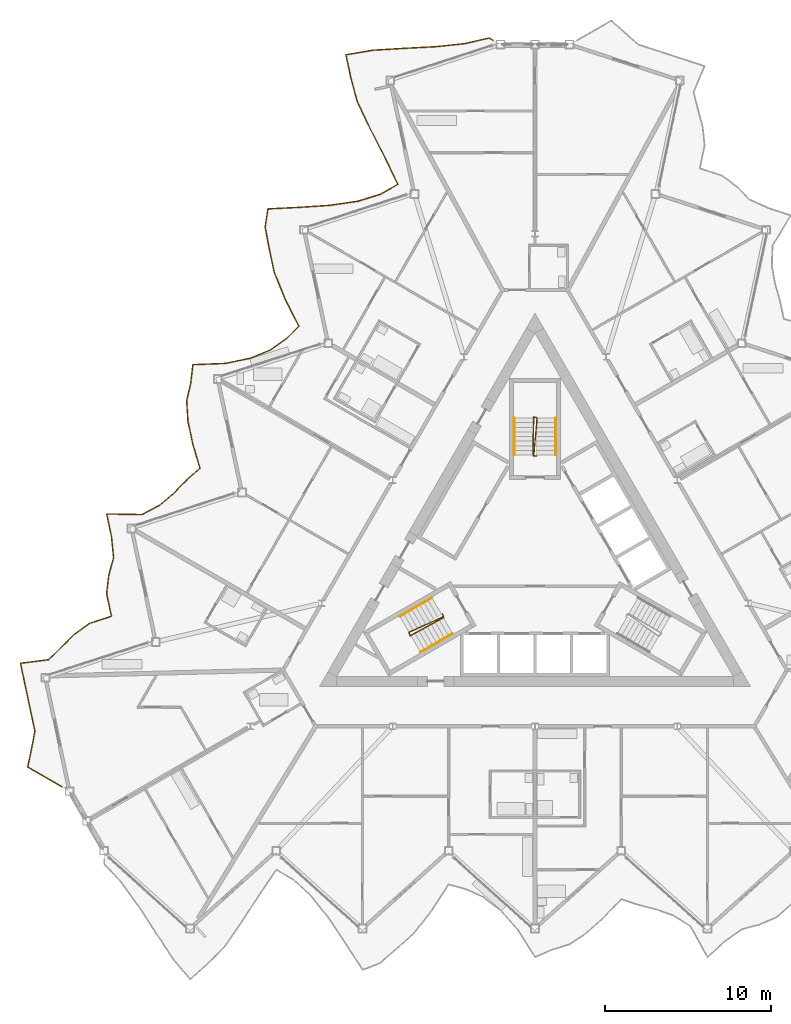
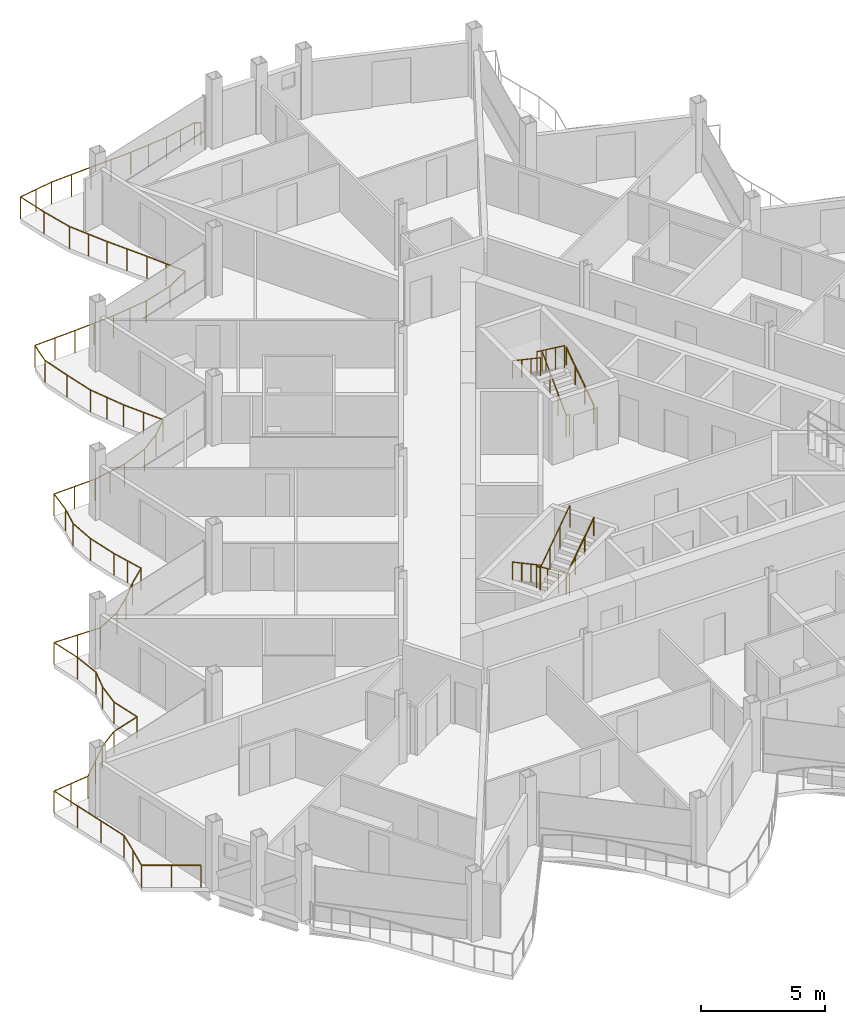
# One storey, part 23 of 26: 7 railings.
"""IFC4 building model written with IfcOpenShell, lengths in metres."""

from ifc_helpers import new_model, si_unit, direction, frame, origin, origin_2d, place, context, subcontext, project, spatial, circle, extrude, material, type_object, element, save


model = new_model("IFC4")

# Units and contexts
model_context = context("Model", 3, precision=1e-05, world=origin(), true_north=direction((0.0, 1.0)))
body_context = subcontext(model_context, "Body", "Model", "MODEL_VIEW")
ifc_project = project(units=[si_unit("LENGTHUNIT", "METRE"), si_unit("AREAUNIT", "SQUARE_METRE"), si_unit("VOLUMEUNIT", "CUBIC_METRE"), si_unit("PLANEANGLEUNIT", "RADIAN"), si_unit("MASSUNIT", "GRAM", prefix="KILO")], contexts=[model_context])

# Site, building, storey
site_placement = place(None, origin())
site = spatial("IfcSite", under=ifc_project, at=site_placement, CompositionType="ELEMENT")
building_placement = place(site_placement, origin())
building = spatial("IfcBuilding", under=site, at=building_placement, Name="Cormorant Prow Tower", CompositionType="ELEMENT")
storey_placement = place(building_placement, frame((0.0, 0.0, 401.800048828125)))
storey = spatial("IfcBuildingStorey", under=building, at=storey_placement, Name="L92", CompositionType="ELEMENT", Elevation=401.800048828125)

# Railings
ifc_material_1 = material(Name="Aluminium 6063-T6", Category="aluminium")
railing_type_1 = type_object("IfcRailingType", Name="Balcony guard 1100", PredefinedType="GUARDRAIL", material=ifc_material_1)
railing_1_placement = place(storey_placement, frame((-2.52685546875, 31.481201171875, 0.0)))
element("IfcRailing", 1, at=railing_1_placement, inside=storey, type_object=railing_type_1, Name="Balcony guard WNW", PredefinedType="GUARDRAIL", context=body_context, shape_type="SweptSolid", body=[
    extrude(circle(Radius=0.02392578125, at=origin_2d()), frame((0.0, 0.0, 1.076171875), z_axis=(-0.866065156741, 0.499931139538, 0.0), x_axis=(-0.499931139538, -0.866065156741, 0.0)), (0.0, 0.0, 1.0), 0.27001953125),
    extrude(circle(Radius=0.02392578125, at=origin_2d()), frame((-0.23388671875, 0.135009765625, 1.076171875), z_axis=(-0.974873370291, -0.222759762745, 0.0), x_axis=(0.222759762745, -0.974873370291, 0.0)), (0.0, 0.0, 1.0), 1.52880859375),
    extrude(circle(Radius=0.02392578125, at=origin_2d()), frame((-1.724365234375, -0.20556640625, 1.076171875), z_axis=(-0.994629350633, -0.103500989653, 0.0), x_axis=(0.103500989653, -0.994629350633, 0.0)), (0.0, 0.0, 1.0), 1.771484375),
    extrude(circle(Radius=0.02392578125, at=origin_2d()), frame((-3.486328125, -0.388916015625, 1.076171875), z_axis=(-0.998632269779, -0.052283742747, 0.0), x_axis=(0.052283742747, -0.998632269779, 0.0)), (0.0, 0.0, 1.0), 1.909912109375),
    extrude(circle(Radius=0.02392578125, at=origin_2d()), frame((-5.3935546875, -0.48876953125, 1.076171875), z_axis=(-0.998162331377, -0.060596701399, 0.0), x_axis=(0.060596701399, -0.998162331377, 0.0)), (0.0, 0.0, 1.0), 1.885498046875),
    extrude(circle(Radius=0.02392578125, at=origin_2d()), frame((-7.275634765625, -0.60302734375, 1.076171875), z_axis=(-0.985696356204, -0.168530986367, 0.0), x_axis=(0.168530986367, -0.985696356204, 0.0)), (0.0, 0.0, 1.0), 1.628173828125),
    extrude(circle(Radius=0.02392578125, at=origin_2d()), frame((-8.880615234375, -0.87744140625, 1.076171875), z_axis=(0.207944297815, -0.978140669335, 0.0), x_axis=(0.978140669335, 0.207944297815, 0.0)), (0.0, 0.0, 1.0), 1.3994140625),
    extrude(circle(Radius=0.02392578125, at=origin_2d()), frame((-8.589599609375, -2.246337890625, 1.076171875), z_axis=(0.256450563767, -0.966557348709, 0.0), x_axis=(0.966557348709, 0.256450563767, 0.0)), (0.0, 0.0, 1.0), 1.467041015625),
    extrude(circle(Radius=0.02392578125, at=origin_2d()), frame((-8.21337890625, -3.664306640625, 1.076171875), z_axis=(0.426711576911, -0.904387765359, 0.0), x_axis=(0.904387765359, 0.426711576911, 0.0)), (0.0, 0.0, 1.0), 1.8251953125),
    extrude(circle(Radius=0.02392578125, at=origin_2d()), frame((-7.4345703125, -5.31494140625, 1.076171875), z_axis=(0.45720436602, -0.889361663044, 0.0), x_axis=(0.889361663044, 0.45720436602, 0.0)), (0.0, 0.0, 1.0), 1.920166015625),
    extrude(circle(Radius=0.02392578125, at=origin_2d()), frame((-6.556640625, -7.022705078125, 1.076171875), z_axis=(0.434918906618, -0.90046962451, 0.0), x_axis=(0.90046962451, 0.434918906618, 0.0)), (0.0, 0.0, 1.0), 1.84912109375),
    extrude(circle(Radius=0.02392578125, at=origin_2d()), frame((-5.75244140625, -8.687744140625, 1.076171875), z_axis=(-0.867204398471, -0.497952338354, 0.0), x_axis=(0.497952338354, -0.867204398471, 0.0)), (0.0, 0.0, 1.0), 1.20263671875),
    extrude(circle(Radius=0.02392578125, at=origin_2d()), frame((-6.79541015625, -9.28662109375, 1.076171875), z_axis=(-0.955030475697, -0.296507656715, 0.0), x_axis=(0.296507656715, -0.955030475697, 0.0)), (0.0, 0.0, 1.0), 1.416259765625),
    extrude(circle(Radius=0.02392578125, at=origin_2d()), frame((-8.14794921875, -9.70654296875, 1.076171875), z_axis=(-0.989243360766, -0.146279093447, 0.0), x_axis=(0.146279093447, -0.989243360766, 0.0)), (0.0, 0.0, 1.0), 1.674072265625),
    extrude(circle(Radius=0.02392578125, at=origin_2d()), frame((-9.803955078125, -9.951416015625, 1.076171875), z_axis=(-0.997767193681, -0.066787927164, 0.0), x_axis=(0.066787927164, -0.997767193681, 0.0)), (0.0, 0.0, 1.0), 1.867919921875),
    extrude(circle(Radius=0.02392578125, at=origin_2d()), frame((-11.667724609375, -10.076171875, 1.076171875), z_axis=(-0.998759316448, -0.049797869514, 0.0), x_axis=(0.049797869514, -0.998759316448, 0.0)), (0.0, 0.0, 1.0), 1.9169921875),
    extrude(circle(Radius=0.02392578125, at=origin_2d()), frame((-13.582275390625, -10.171630859375, 1.076171875), z_axis=(-0.153916021447, -0.988083932843, 0.0), x_axis=(0.988083932843, -0.153916021447, 0.0)), (0.0, 0.0, 1.0), 1.114990234375),
    extrude(circle(Radius=0.02392578125, at=origin_2d()), frame((-13.75390625, -11.2734375, 1.076171875), z_axis=(0.18608198355, -0.982534220981, 0.0), x_axis=(0.982534220981, 0.18608198355, 0.0)), (0.0, 0.0, 1.0), 1.372314453125),
    extrude(circle(Radius=0.02392578125, at=origin_2d()), frame((-13.49853515625, -12.621826171875, 1.076171875), z_axis=(0.20777738218, -0.978176139279, 0.0), x_axis=(0.978176139279, 0.20777738218, 0.0)), (0.0, 0.0, 1.0), 1.3994140625),
    extrude(circle(Radius=0.02392578125, at=origin_2d()), frame((-13.207763671875, -13.99072265625, 1.076171875), z_axis=(0.373958300554, -0.927445518317, 0.0), x_axis=(0.927445518317, 0.373958300554, 0.0)), (0.0, 0.0, 1.0), 1.687744140625),
    extrude(circle(Radius=0.02392578125, at=origin_2d()), frame((-12.57666015625, -15.555908203125, 1.076171875), z_axis=(0.450707823125, -0.892671528712, 0.0), x_axis=(0.892671528712, 0.450707823125, 0.0)), (0.0, 0.0, 1.0), 1.898681640625),
    extrude(circle(Radius=0.02392578125, at=origin_2d()), frame((-11.720947265625, -17.250732421875, 1.076171875), z_axis=(-0.709707035486, -0.704496929576, 0.0), x_axis=(0.704496929576, -0.709707035486, 0.0)), (0.0, 0.0, 1.0), 1.07763671875),
    extrude(circle(Radius=0.02392578125, at=origin_2d()), frame((-12.48583984375, -18.010009765625, 1.076171875), z_axis=(-0.813978799113, -0.580894581309, 0.0), x_axis=(0.580894581309, -0.813978799113, 0.0)), (0.0, 0.0, 1.0), 1.142822265625),
    extrude(circle(Radius=0.02392578125, at=origin_2d()), frame((-13.416015625, -18.673828125, 1.076171875), z_axis=(-0.92453937259, -0.381086536801, 0.0), x_axis=(0.381086536801, -0.92453937259, 0.0)), (0.0, 0.0, 1.0), 1.312744140625),
    extrude(circle(Radius=0.02392578125, at=origin_2d()), frame((-14.629638671875, -19.174072265625, 1.076171875), z_axis=(-0.979287111935, -0.202476547773, 0.0), x_axis=(0.202476547773, -0.979287111935, 0.0)), (0.0, 0.0, 1.0), 1.56396484375),
    extrude(circle(Radius=0.02392578125, at=origin_2d()), frame((-16.1611328125, -19.49072265625, 1.076171875), z_axis=(-0.99926228289, -0.038404296551, 0.0), x_axis=(0.038404296551, -0.99926228289, 0.0)), (0.0, 0.0, 1.0), 1.95166015625),
    extrude(circle(Radius=0.02392578125, at=origin_2d()), frame((-18.111328125, -19.565673828125, 1.076171875), z_axis=(-0.11686626833, -0.993147660384, 0.0), x_axis=(0.993147660384, -0.11686626833, 0.0)), (0.0, 0.0, 1.0), 1.13232421875),
    extrude(circle(Radius=0.02392578125, at=origin_2d()), frame((-18.24365234375, -20.690185546875, 1.076171875), z_axis=(-0.22422016943, -0.97453851418, 0.0), x_axis=(0.97453851418, -0.22422016943, 0.0)), (0.0, 0.0, 1.0), 1.087646484375),
    extrude(circle(Radius=0.02392578125, at=origin_2d()), frame((-18.487548828125, -21.750244140625, 1.076171875), z_axis=(0.063886451825, -0.997957174068, 0.0), x_axis=(0.997957174068, 0.063886451825, 0.0)), (0.0, 0.0, 1.0), 1.24951171875),
    extrude(circle(Radius=0.02392578125, at=origin_2d()), frame((-18.40771484375, -22.997314453125, 1.076171875), z_axis=(0.207944297815, -0.978140669335, 0.0), x_axis=(0.978140669335, 0.207944297815, 0.0)), (0.0, 0.0, 1.0), 1.3994140625),
    extrude(circle(Radius=0.02392578125, at=origin_2d()), frame((-18.11669921875, -24.3662109375, 1.076171875), z_axis=(0.284456795852, -0.958688860524, 0.0), x_axis=(0.958688860524, 0.284456795852, 0.0)), (0.0, 0.0, 1.0), 1.511474609375),
    extrude(circle(Radius=0.02392578125, at=origin_2d()), frame((-17.686767578125, -25.815185546875, 1.076171875), z_axis=(-0.748158452979, -0.663520104621, 0.0), x_axis=(0.663520104621, -0.748158452979, 0.0)), (0.0, 0.0, 1.0), 1.09619140625),
    extrude(circle(Radius=0.02392578125, at=origin_2d()), frame((-18.5068359375, -26.54248046875, 1.076171875), z_axis=(-0.694004890658, -0.71997028532, 0.0), x_axis=(0.71997028532, -0.694004890658, 0.0)), (0.0, 0.0, 1.0), 1.07177734375),
    extrude(circle(Radius=0.02392578125, at=origin_2d()), frame((-19.250732421875, -27.314208984375, 1.076171875), z_axis=(-0.761360498228, -0.648328768247, 0.0), x_axis=(0.648328768247, -0.761360498228, 0.0)), (0.0, 0.0, 1.0), 1.103759765625),
    extrude(circle(Radius=0.02392578125, at=origin_2d()), frame((-20.091064453125, -28.02978515625, 1.076171875), z_axis=(-0.882363970647, -0.470567554452, 0.0), x_axis=(0.470567554452, -0.882363970647, 0.0)), (0.0, 0.0, 1.0), 1.225341796875),
    extrude(circle(Radius=0.02392578125, at=origin_2d()), frame((-21.17236328125, -28.6064453125, 1.076171875), z_axis=(-0.999874162448, 0.015863772238, 0.0), x_axis=(-0.015863772238, -0.999874162448, 0.0)), (0.0, 0.0, 1.0), 2.13916015625),
    extrude(circle(Radius=0.02392578125, at=origin_2d()), frame((-23.311279296875, -28.572509765625, 1.076171875), z_axis=(0.207812845083, -0.978168605823, 0.0), x_axis=(0.978168605823, 0.207812845083, 0.0)), (0.0, 0.0, 1.0), 1.399169921875),
    extrude(circle(Radius=0.02392578125, at=origin_2d()), frame((-23.0205078125, -29.941162109375, 1.076171875), z_axis=(0.097538060509, -0.995231795489, 0.0), x_axis=(0.995231795489, 0.097538060509, 0.0)), (0.0, 0.0, 1.0), 1.279052734375),
    extrude(circle(Radius=0.02392578125, at=origin_2d()), frame((-22.895751953125, -31.214111328125, 1.076171875), z_axis=(-0.266307602116, -0.963888095712, 0.0), x_axis=(0.963888095712, -0.266307602116, 0.0)), (0.0, 0.0, 1.0), 1.074462890625),
    extrude(circle(Radius=0.02392578125, at=origin_2d()), frame((-23.181884765625, -32.249755859375, 1.076171875), z_axis=(-0.119145220618, -0.992876838487, 0.0), x_axis=(0.992876838487, -0.119145220618, 0.0)), (0.0, 0.0, 1.0), 1.131103515625),
    extrude(circle(Radius=0.02392578125, at=origin_2d()), frame((-23.316650390625, -33.372802734375, 1.076171875), z_axis=(0.207944297815, -0.978140669335, 0.0), x_axis=(0.978140669335, 0.207944297815, 0.0)), (0.0, 0.0, 1.0), 1.3994140625),
    extrude(circle(Radius=0.02392578125, at=origin_2d()), frame((-23.025634765625, -34.74169921875, 1.076171875), z_axis=(-0.951028941009, -0.309101849499, 0.0), x_axis=(0.309101849499, -0.951028941009, 0.0)), (0.0, 0.0, 1.0), 1.399658203125),
    extrude(circle(Radius=0.02392578125, at=origin_2d()), frame((-24.356689453125, -35.17431640625, 1.076171875), z_axis=(-0.809393871264, -0.587266175733, 0.0), x_axis=(0.587266175733, -0.809393871264, 0.0)), (0.0, 0.0, 1.0), 1.138671875),
    extrude(circle(Radius=0.02392578125, at=origin_2d()), frame((-25.2783203125, -35.843017578125, 1.076171875), z_axis=(-0.703121250885, -0.711069973036, 0.0), x_axis=(0.711069973036, -0.703121250885, 0.0)), (0.0, 0.0, 1.0), 1.074951171875),
    extrude(circle(Radius=0.02392578125, at=origin_2d()), frame((-26.0341796875, -36.607421875, 1.076171875), z_axis=(-0.719187567553, -0.694815977564, 0.0), x_axis=(0.694815977564, -0.719187567553, 0.0)), (0.0, 0.0, 1.0), 1.081787109375),
    extrude(circle(Radius=0.02392578125, at=origin_2d()), frame((-26.812255859375, -37.359130859375, 1.076171875), z_axis=(-0.99172234521, -0.12840089568, 0.0), x_axis=(0.12840089568, -0.99172234521, 0.0)), (0.0, 0.0, 1.0), 1.713134765625),
    extrude(circle(Radius=0.02392578125, at=origin_2d()), frame((-28.51123046875, -37.5791015625, 1.076171875), z_axis=(0.20777738218, -0.978176139279, 0.0), x_axis=(0.978176139279, 0.20777738218, 0.0)), (0.0, 0.0, 1.0), 1.3994140625),
    extrude(circle(Radius=0.02392578125, at=origin_2d()), frame((-28.220458984375, -38.947998046875, 1.076171875), z_axis=(0.207944297815, -0.978140669335, 0.0), x_axis=(0.978140669335, 0.207944297815, 0.0)), (0.0, 0.0, 1.0), 1.3994140625),
    extrude(circle(Radius=0.02392578125, at=origin_2d()), frame((-27.929443359375, -40.31689453125, 1.076171875), z_axis=(0.207944297815, -0.978140669335, 0.0), x_axis=(0.978140669335, 0.207944297815, 0.0)), (0.0, 0.0, 1.0), 1.3994140625),
    extrude(circle(Radius=0.02392578125, at=origin_2d()), frame((-27.638427734375, -41.685791015625, 1.076171875), z_axis=(-0.191630354817, -0.981467170675, 0.0), x_axis=(0.981467170675, -0.191630354817, 0.0)), (0.0, 0.0, 1.0), 1.099365234375),
    extrude(circle(Radius=0.02392578125, at=origin_2d()), frame((-27.84912109375, -42.764892578125, 1.076171875), z_axis=(-0.205201060308, -0.978719839816, 0.0), x_axis=(0.978719839816, -0.205201060308, 0.0)), (0.0, 0.0, 1.0), 1.094482421875),
    extrude(circle(Radius=0.02392578125, at=origin_2d()), frame((-28.07373046875, -43.836181640625, 1.076171875), z_axis=(0.866025985952, -0.499998991654, 0.0), x_axis=(0.499998991654, 0.866025985952, 0.0)), (0.0, 0.0, 1.0), 2.39453125),
    extrude(circle(Radius=0.02099609375, at=origin_2d()), origin(), (0.0, 0.0, 1.0), 1.052001953125),
    extrude(circle(Radius=0.02099609375, at=origin_2d()), frame((-0.23388671875, 0.135009765625, 0.0)), (0.0, 0.0, 1.0), 1.052001953125),
    extrude(circle(Radius=0.02099609375, at=origin_2d()), frame((-0.97900390625, -0.03515625, 0.0)), (0.0, 0.0, 1.0), 1.052001953125),
    extrude(circle(Radius=0.02099609375, at=origin_2d()), frame((-1.724365234375, -0.20556640625, 0.0)), (0.0, 0.0, 1.0), 1.052001953125),
    extrude(circle(Radius=0.02099609375, at=origin_2d()), frame((-2.60546875, -0.29736328125, 0.0)), (0.0, 0.0, 1.0), 1.052001953125),
    extrude(circle(Radius=0.02099609375, at=origin_2d()), frame((-3.486328125, -0.388916015625, 0.0)), (0.0, 0.0, 1.0), 1.052001953125),
    extrude(circle(Radius=0.02099609375, at=origin_2d()), frame((-4.43994140625, -0.43896484375, 0.0)), (0.0, 0.0, 1.0), 1.052001953125),
    extrude(circle(Radius=0.02099609375, at=origin_2d()), frame((-5.3935546875, -0.48876953125, 0.0)), (0.0, 0.0, 1.0), 1.052001953125),
    extrude(circle(Radius=0.02099609375, at=origin_2d()), frame((-6.33447265625, -0.5458984375, 0.0)), (0.0, 0.0, 1.0), 1.052001953125),
    extrude(circle(Radius=0.02099609375, at=origin_2d()), frame((-7.275634765625, -0.60302734375, 0.0)), (0.0, 0.0, 1.0), 1.052001953125),
    extrude(circle(Radius=0.02099609375, at=origin_2d()), frame((-8.078125, -0.740234375, 0.0)), (0.0, 0.0, 1.0), 1.052001953125),
    extrude(circle(Radius=0.02099609375, at=origin_2d()), frame((-8.880615234375, -0.87744140625, 0.0)), (0.0, 0.0, 1.0), 1.052001953125),
    extrude(circle(Radius=0.02099609375, at=origin_2d()), frame((-8.589599609375, -2.246337890625, 0.0)), (0.0, 0.0, 1.0), 1.052001953125),
    extrude(circle(Radius=0.02099609375, at=origin_2d()), frame((-8.21337890625, -3.664306640625, 0.0)), (0.0, 0.0, 1.0), 1.052001953125),
    extrude(circle(Radius=0.02099609375, at=origin_2d()), frame((-7.823974609375, -4.48974609375, 0.0)), (0.0, 0.0, 1.0), 1.052001953125),
    extrude(circle(Radius=0.02099609375, at=origin_2d()), frame((-7.4345703125, -5.31494140625, 0.0)), (0.0, 0.0, 1.0), 1.052001953125),
    extrude(circle(Radius=0.02099609375, at=origin_2d()), frame((-6.99560546875, -6.1689453125, 0.0)), (0.0, 0.0, 1.0), 1.052001953125),
    extrude(circle(Radius=0.02099609375, at=origin_2d()), frame((-6.556640625, -7.022705078125, 0.0)), (0.0, 0.0, 1.0), 1.052001953125),
    extrude(circle(Radius=0.02099609375, at=origin_2d()), frame((-6.154541015625, -7.855224609375, 0.0)), (0.0, 0.0, 1.0), 1.052001953125),
    extrude(circle(Radius=0.02099609375, at=origin_2d()), frame((-5.75244140625, -8.687744140625, 0.0)), (0.0, 0.0, 1.0), 1.052001953125),
    extrude(circle(Radius=0.02099609375, at=origin_2d()), frame((-6.79541015625, -9.28662109375, 0.0)), (0.0, 0.0, 1.0), 1.052001953125),
    extrude(circle(Radius=0.02099609375, at=origin_2d()), frame((-8.14794921875, -9.70654296875, 0.0)), (0.0, 0.0, 1.0), 1.052001953125),
    extrude(circle(Radius=0.02099609375, at=origin_2d()), frame((-8.97607421875, -9.8291015625, 0.0)), (0.0, 0.0, 1.0), 1.052001953125),
    extrude(circle(Radius=0.02099609375, at=origin_2d()), frame((-9.803955078125, -9.951416015625, 0.0)), (0.0, 0.0, 1.0), 1.052001953125),
    extrude(circle(Radius=0.02099609375, at=origin_2d()), frame((-10.73583984375, -10.013671875, 0.0)), (0.0, 0.0, 1.0), 1.052001953125),
    extrude(circle(Radius=0.02099609375, at=origin_2d()), frame((-11.667724609375, -10.076171875, 0.0)), (0.0, 0.0, 1.0), 1.052001953125),
    extrude(circle(Radius=0.02099609375, at=origin_2d()), frame((-12.625, -10.1240234375, 0.0)), (0.0, 0.0, 1.0), 1.052001953125),
    extrude(circle(Radius=0.02099609375, at=origin_2d()), frame((-13.582275390625, -10.171630859375, 0.0)), (0.0, 0.0, 1.0), 1.052001953125),
    extrude(circle(Radius=0.02099609375, at=origin_2d()), frame((-13.75390625, -11.2734375, 0.0)), (0.0, 0.0, 1.0), 1.052001953125),
    extrude(circle(Radius=0.02099609375, at=origin_2d()), frame((-13.49853515625, -12.621826171875, 0.0)), (0.0, 0.0, 1.0), 1.052001953125),
    extrude(circle(Radius=0.02099609375, at=origin_2d()), frame((-13.207763671875, -13.99072265625, 0.0)), (0.0, 0.0, 1.0), 1.052001953125),
    extrude(circle(Radius=0.02099609375, at=origin_2d()), frame((-12.89208984375, -14.7734375, 0.0)), (0.0, 0.0, 1.0), 1.052001953125),
    extrude(circle(Radius=0.02099609375, at=origin_2d()), frame((-12.57666015625, -15.555908203125, 0.0)), (0.0, 0.0, 1.0), 1.052001953125),
    extrude(circle(Radius=0.02099609375, at=origin_2d()), frame((-12.14892578125, -16.4033203125, 0.0)), (0.0, 0.0, 1.0), 1.052001953125),
    extrude(circle(Radius=0.02099609375, at=origin_2d()), frame((-11.720947265625, -17.250732421875, 0.0)), (0.0, 0.0, 1.0), 1.052001953125),
    extrude(circle(Radius=0.02099609375, at=origin_2d()), frame((-12.48583984375, -18.010009765625, 0.0)), (0.0, 0.0, 1.0), 1.052001953125),
    extrude(circle(Radius=0.02099609375, at=origin_2d()), frame((-13.416015625, -18.673828125, 0.0)), (0.0, 0.0, 1.0), 1.052001953125),
    extrude(circle(Radius=0.02099609375, at=origin_2d()), frame((-14.629638671875, -19.174072265625, 0.0)), (0.0, 0.0, 1.0), 1.052001953125),
    extrude(circle(Radius=0.02099609375, at=origin_2d()), frame((-15.3955078125, -19.33251953125, 0.0)), (0.0, 0.0, 1.0), 1.052001953125),
    extrude(circle(Radius=0.02099609375, at=origin_2d()), frame((-16.1611328125, -19.49072265625, 0.0)), (0.0, 0.0, 1.0), 1.052001953125),
    extrude(circle(Radius=0.02099609375, at=origin_2d()), frame((-17.13623046875, -19.5283203125, 0.0)), (0.0, 0.0, 1.0), 1.052001953125),
    extrude(circle(Radius=0.02099609375, at=origin_2d()), frame((-18.111328125, -19.565673828125, 0.0)), (0.0, 0.0, 1.0), 1.052001953125),
    extrude(circle(Radius=0.02099609375, at=origin_2d()), frame((-18.24365234375, -20.690185546875, 0.0)), (0.0, 0.0, 1.0), 1.052001953125),
    extrude(circle(Radius=0.02099609375, at=origin_2d()), frame((-18.487548828125, -21.750244140625, 0.0)), (0.0, 0.0, 1.0), 1.052001953125),
    extrude(circle(Radius=0.02099609375, at=origin_2d()), frame((-18.40771484375, -22.997314453125, 0.0)), (0.0, 0.0, 1.0), 1.052001953125),
    extrude(circle(Radius=0.02099609375, at=origin_2d()), frame((-18.11669921875, -24.3662109375, 0.0)), (0.0, 0.0, 1.0), 1.052001953125),
    extrude(circle(Radius=0.02099609375, at=origin_2d()), frame((-17.90185546875, -25.0908203125, 0.0)), (0.0, 0.0, 1.0), 1.052001953125),
    extrude(circle(Radius=0.02099609375, at=origin_2d()), frame((-17.686767578125, -25.815185546875, 0.0)), (0.0, 0.0, 1.0), 1.052001953125),
    extrude(circle(Radius=0.02099609375, at=origin_2d()), frame((-18.5068359375, -26.54248046875, 0.0)), (0.0, 0.0, 1.0), 1.052001953125),
    extrude(circle(Radius=0.02099609375, at=origin_2d()), frame((-19.250732421875, -27.314208984375, 0.0)), (0.0, 0.0, 1.0), 1.052001953125),
    extrude(circle(Radius=0.02099609375, at=origin_2d()), frame((-20.091064453125, -28.02978515625, 0.0)), (0.0, 0.0, 1.0), 1.052001953125),
    extrude(circle(Radius=0.02099609375, at=origin_2d()), frame((-21.17236328125, -28.6064453125, 0.0)), (0.0, 0.0, 1.0), 1.052001953125),
    extrude(circle(Radius=0.02099609375, at=origin_2d()), frame((-22.24169921875, -28.58935546875, 0.0)), (0.0, 0.0, 1.0), 1.052001953125),
    extrude(circle(Radius=0.02099609375, at=origin_2d()), frame((-23.311279296875, -28.572509765625, 0.0)), (0.0, 0.0, 1.0), 1.052001953125),
    extrude(circle(Radius=0.02099609375, at=origin_2d()), frame((-23.0205078125, -29.941162109375, 0.0)), (0.0, 0.0, 1.0), 1.052001953125),
    extrude(circle(Radius=0.02099609375, at=origin_2d()), frame((-22.895751953125, -31.214111328125, 0.0)), (0.0, 0.0, 1.0), 1.052001953125),
    extrude(circle(Radius=0.02099609375, at=origin_2d()), frame((-23.181884765625, -32.249755859375, 0.0)), (0.0, 0.0, 1.0), 1.052001953125),
    extrude(circle(Radius=0.02099609375, at=origin_2d()), frame((-23.316650390625, -33.372802734375, 0.0)), (0.0, 0.0, 1.0), 1.052001953125),
    extrude(circle(Radius=0.02099609375, at=origin_2d()), frame((-23.025634765625, -34.74169921875, 0.0)), (0.0, 0.0, 1.0), 1.052001953125),
    extrude(circle(Radius=0.02099609375, at=origin_2d()), frame((-24.356689453125, -35.17431640625, 0.0)), (0.0, 0.0, 1.0), 1.052001953125),
    extrude(circle(Radius=0.02099609375, at=origin_2d()), frame((-25.2783203125, -35.843017578125, 0.0)), (0.0, 0.0, 1.0), 1.052001953125),
    extrude(circle(Radius=0.02099609375, at=origin_2d()), frame((-26.0341796875, -36.607421875, 0.0)), (0.0, 0.0, 1.0), 1.052001953125),
    extrude(circle(Radius=0.02099609375, at=origin_2d()), frame((-26.812255859375, -37.359130859375, 0.0)), (0.0, 0.0, 1.0), 1.052001953125),
    extrude(circle(Radius=0.02099609375, at=origin_2d()), frame((-27.66162109375, -37.46923828125, 0.0)), (0.0, 0.0, 1.0), 1.052001953125),
    extrude(circle(Radius=0.02099609375, at=origin_2d()), frame((-28.51123046875, -37.5791015625, 0.0)), (0.0, 0.0, 1.0), 1.052001953125),
    extrude(circle(Radius=0.02099609375, at=origin_2d()), frame((-28.220458984375, -38.947998046875, 0.0)), (0.0, 0.0, 1.0), 1.052001953125),
    extrude(circle(Radius=0.02099609375, at=origin_2d()), frame((-27.929443359375, -40.31689453125, 0.0)), (0.0, 0.0, 1.0), 1.052001953125),
    extrude(circle(Radius=0.02099609375, at=origin_2d()), frame((-27.638427734375, -41.685791015625, 0.0)), (0.0, 0.0, 1.0), 1.052001953125),
    extrude(circle(Radius=0.02099609375, at=origin_2d()), frame((-27.84912109375, -42.764892578125, 0.0)), (0.0, 0.0, 1.0), 1.052001953125),
    extrude(circle(Radius=0.02099609375, at=origin_2d()), frame((-28.07373046875, -43.836181640625, 0.0)), (0.0, 0.0, 1.0), 1.052001953125),
    extrude(circle(Radius=0.02099609375, at=origin_2d()), frame((-27.036865234375, -44.434814453125, 0.0)), (0.0, 0.0, 1.0), 1.052001953125),
    extrude(circle(Radius=0.02099609375, at=origin_2d()), frame((-26.0, -45.033447265625, 0.0)), (0.0, 0.0, 1.0), 1.052001953125),
])
ifc_material_2 = material(Name="Stainless steel", Category="steel")
railing_type_2 = type_object("IfcRailingType", Name="Stair guard 1100", PredefinedType="GUARDRAIL", material=ifc_material_2)
railing_2_placement = place(storey_placement, frame((-5.585205078125, -3.137939453125, 0.0)))
element("IfcRailing", 2, at=railing_2_placement, inside=storey, type_object=railing_type_2, Name="L92 ST1 stair guard 1", PredefinedType="GUARDRAIL", context=body_context, shape_type="SweptSolid", body=[
    extrude(circle(Radius=0.02392578125, at=origin_2d()), frame((0.0, 0.0, 1.076171875), z_axis=(0.501036270542, -0.865426285481, 0.0), x_axis=(0.865426285481, 0.501036270542, 0.0)), (0.0, 0.0, 1.0), 0.150146484375),
    extrude(circle(Radius=0.02392578125, at=origin_2d()), frame((0.0751953125, -0.1298828125, 1.076171875), z_axis=(-0.728641035543, -0.339941399566, 0.594577233152), x_axis=(0.422792438952, -0.906226546491, 0.0)), (0.0, 0.0, 1.0), 2.859130859375),
    extrude(circle(Radius=0.02392578125, at=origin_2d()), frame((-2.008056640625, -1.101806640625, 2.77587890625), z_axis=(0.275034262293, -0.961434425515, 0.0), x_axis=(0.961434425515, 0.275034262293, 0.0)), (0.0, 0.0, 1.0), 0.2060546875),
    extrude(circle(Radius=0.02392578125, at=origin_2d()), frame((-1.951416015625, -1.2998046875, 2.77587890625), z_axis=(0.704058451865, 0.386179398835, 0.595959032378), x_axis=(-0.480911908544, 0.87676891837, 0.0)), (0.0, 0.0, 1.0), 2.8525390625),
    extrude(circle(Radius=0.02099609375, at=origin_2d()), origin(), (0.0, 0.0, 1.0), 1.052001953125),
    extrude(circle(Radius=0.02099609375, at=origin_2d()), frame((0.0751953125, -0.1298828125, 0.0)), (0.0, 0.0, 1.0), 1.052001953125),
    extrude(circle(Radius=0.02099609375, at=origin_2d()), frame((-0.619140625, -0.453857421875, 0.566650390625)), (0.0, 0.0, 1.0), 1.052001953125),
    extrude(circle(Radius=0.02099609375, at=origin_2d()), frame((-1.313720703125, -0.77783203125, 1.13330078125)), (0.0, 0.0, 1.0), 1.052001953125),
    extrude(circle(Radius=0.02099609375, at=origin_2d()), frame((-2.008056640625, -1.101806640625, 1.699951171875)), (0.0, 0.0, 1.0), 1.052001953125),
    extrude(circle(Radius=0.02099609375, at=origin_2d()), frame((-1.951416015625, -1.2998046875, 1.699951171875)), (0.0, 0.0, 1.0), 1.052001953125),
    extrude(circle(Radius=0.02099609375, at=origin_2d()), frame((-1.281982421875, -0.9326171875, 2.2666015625)), (0.0, 0.0, 1.0), 1.052001953125),
    extrude(circle(Radius=0.02099609375, at=origin_2d()), frame((-0.612548828125, -0.5654296875, 2.833251953125)), (0.0, 0.0, 1.0), 1.052001953125),
    extrude(circle(Radius=0.02099609375, at=origin_2d()), frame((0.056884765625, -0.1982421875, 3.39990234375)), (0.0, 0.0, 1.0), 1.052001953125),
])
railing_3_placement = place(storey_placement, frame((0.074951171875, 6.40576171875, 0.0)))
element("IfcRailing", 3, at=railing_3_placement, inside=storey, type_object=railing_type_2, Name="L92 ST3 stair guard 1", PredefinedType="GUARDRAIL", context=body_context, shape_type="SweptSolid", body=[
    extrude(circle(Radius=0.02392578125, at=origin_2d()), frame((0.0, 0.0, 1.076171875), z_axis=(-1.0, 0.0, 0.0), x_axis=(0.0, -1.0, 0.0)), (0.0, 0.0, 1.0), 0.14990234375),
    extrude(circle(Radius=0.02392578125, at=origin_2d()), frame((-0.14990234375, 0.0, 1.076171875), z_axis=(0.069936542308, 0.800982621307, 0.594588698525), x_axis=(-0.996209839609, 0.086982500921, 0.0)), (0.0, 0.0, 1.0), 2.859130859375),
    extrude(circle(Radius=0.02392578125, at=origin_2d()), frame((0.050048828125, 2.2900390625, 2.77587890625), z_axis=(-0.970072785993, 0.242814311512, 0.0), x_axis=(-0.242814311512, -0.970072785993, 0.0)), (0.0, 0.0, 1.0), 0.2060546875),
    extrude(circle(Radius=0.02392578125, at=origin_2d()), frame((-0.14990234375, 2.340087890625, 2.77587890625), z_axis=(-0.017545750742, -0.80282508275, 0.595956402045), x_axis=(0.999761264773, -0.0218497931, 0.0)), (0.0, 0.0, 1.0), 2.8525390625),
    extrude(circle(Radius=0.02099609375, at=origin_2d()), origin(), (0.0, 0.0, 1.0), 1.052001953125),
    extrude(circle(Radius=0.02099609375, at=origin_2d()), frame((-0.14990234375, 0.0, 0.0)), (0.0, 0.0, 1.0), 1.052001953125),
    extrude(circle(Radius=0.02099609375, at=origin_2d()), frame((-0.083251953125, 0.763427734375, 0.566650390625)), (0.0, 0.0, 1.0), 1.052001953125),
    extrude(circle(Radius=0.02099609375, at=origin_2d()), frame((-0.0166015625, 1.526611328125, 1.13330078125)), (0.0, 0.0, 1.0), 1.052001953125),
    extrude(circle(Radius=0.02099609375, at=origin_2d()), frame((0.050048828125, 2.2900390625, 1.699951171875)), (0.0, 0.0, 1.0), 1.052001953125),
    extrude(circle(Radius=0.02099609375, at=origin_2d()), frame((-0.14990234375, 2.340087890625, 1.699951171875)), (0.0, 0.0, 1.0), 1.052001953125),
    extrude(circle(Radius=0.02099609375, at=origin_2d()), frame((-0.16650390625, 1.57666015625, 2.2666015625)), (0.0, 0.0, 1.0), 1.052001953125),
    extrude(circle(Radius=0.02099609375, at=origin_2d()), frame((-0.183349609375, 0.8134765625, 2.833251953125)), (0.0, 0.0, 1.0), 1.052001953125),
    extrude(circle(Radius=0.02099609375, at=origin_2d()), frame((-0.199951171875, 0.050048828125, 3.39990234375)), (0.0, 0.0, 1.0), 1.052001953125),
])
ifc_material_3 = material(Name="Stainless steel", Category="steel")
railing_type_3 = type_object("IfcRailingType", Name="Stair handrail 900", PredefinedType="HANDRAIL", material=ifc_material_3)
railing_4_placement = place(storey_placement, frame((-6.212890625, -2.150634765625, 0.188720703125)))
element("IfcRailing", 4, at=railing_4_placement, inside=storey, type_object=railing_type_3, Name="L92 ST1 stair handrail 1", PredefinedType="HANDRAIL", context=body_context, shape_type="SweptSolid", body=[
    extrude(circle(Radius=0.02392578125, at=origin_2d()), frame((0.0, 0.0, 0.8759765625), z_axis=(-0.717940317343, -0.414446543626, 0.55928147047), x_axis=(0.49994888933, -0.866054910533, 0.0)), (0.0, 0.0, 1.0), 2.7021484375),
    extrude(circle(Radius=0.02099609375, at=origin_2d()), origin(), (0.0, 0.0, 1.0), 0.851806640625),
    extrude(circle(Radius=0.02099609375, at=origin_2d()), frame((-0.646728515625, -0.373291015625, 0.503662109375)), (0.0, 0.0, 1.0), 0.851806640625),
    extrude(circle(Radius=0.02099609375, at=origin_2d()), frame((-1.293212890625, -0.74658203125, 1.007568359375)), (0.0, 0.0, 1.0), 0.851806640625),
    extrude(circle(Radius=0.02099609375, at=origin_2d()), frame((-1.93994140625, -1.119873046875, 1.51123046875)), (0.0, 0.0, 1.0), 0.851806640625),
])
railing_5_placement = place(storey_placement, frame((-6.90869140625, -5.42529296875, 1.888916015625)))
element("IfcRailing", 5, at=railing_5_placement, inside=storey, type_object=railing_type_3, Name="L92 ST1 stair handrail 2", PredefinedType="HANDRAIL", context=body_context, shape_type="SweptSolid", body=[
    extrude(circle(Radius=0.02392578125, at=origin_2d()), frame((0.0, 0.0, 0.8759765625), z_axis=(0.71790592183, 0.414569209485, 0.559234707389), x_axis=(-0.500077830873, 0.865980463445, 0.0)), (0.0, 0.0, 1.0), 2.701904296875),
    extrude(circle(Radius=0.02099609375, at=origin_2d()), origin(), (0.0, 0.0, 1.0), 0.851806640625),
    extrude(circle(Radius=0.02099609375, at=origin_2d()), frame((0.646484375, 0.373291015625, 0.503662109375)), (0.0, 0.0, 1.0), 0.851806640625),
    extrude(circle(Radius=0.02099609375, at=origin_2d()), frame((1.293212890625, 0.746826171875, 1.00732421875)), (0.0, 0.0, 1.0), 0.851806640625),
    extrude(circle(Radius=0.02099609375, at=origin_2d()), frame((1.939697265625, 1.1201171875, 1.510986328125)), (0.0, 0.0, 1.0), 0.851806640625),
])
railing_6_placement = place(storey_placement, frame((1.243896484375, 6.455810546875, 0.188720703125)))
element("IfcRailing", 6, at=railing_6_placement, inside=storey, type_object=railing_type_3, Name="L92 ST3 stair handrail 1", PredefinedType="HANDRAIL", context=body_context, shape_type="SweptSolid", body=[
    extrude(circle(Radius=0.02392578125, at=origin_2d()), frame((0.0, 0.0, 0.8759765625), z_axis=(0.0, 0.828979582247, 0.559278868023), x_axis=(-1.0, 0.0, 0.0)), (0.0, 0.0, 1.0), 2.7021484375),
    extrude(circle(Radius=0.02099609375, at=origin_2d()), origin(), (0.0, 0.0, 1.0), 0.851806640625),
    extrude(circle(Radius=0.02099609375, at=origin_2d()), frame((0.0, 0.74658203125, 0.503662109375)), (0.0, 0.0, 1.0), 0.851806640625),
    extrude(circle(Radius=0.02099609375, at=origin_2d()), frame((0.0, 1.493408203125, 1.007568359375)), (0.0, 0.0, 1.0), 0.851806640625),
    extrude(circle(Radius=0.02099609375, at=origin_2d()), frame((0.0, 2.239990234375, 1.51123046875)), (0.0, 0.0, 1.0), 0.851806640625),
])
railing_7_placement = place(storey_placement, frame((-1.243896484375, 8.69580078125, 1.888916015625)))
element("IfcRailing", 7, at=railing_7_placement, inside=storey, type_object=railing_type_3, Name="L92 ST3 stair handrail 2", PredefinedType="HANDRAIL", context=body_context, shape_type="SweptSolid", body=[
    extrude(circle(Radius=0.02392578125, at=origin_2d()), frame((0.0, 0.0, 0.8759765625), z_axis=(0.0, -0.829021472004, 0.559216772778), x_axis=(1.0, 0.0, 0.0)), (0.0, 0.0, 1.0), 2.701904296875),
    extrude(circle(Radius=0.02099609375, at=origin_2d()), origin(), (0.0, 0.0, 1.0), 0.851806640625),
    extrude(circle(Radius=0.02099609375, at=origin_2d()), frame((0.0, -0.74658203125, 0.503662109375)), (0.0, 0.0, 1.0), 0.851806640625),
    extrude(circle(Radius=0.02099609375, at=origin_2d()), frame((0.0, -1.493408203125, 1.00732421875)), (0.0, 0.0, 1.0), 0.851806640625),
    extrude(circle(Radius=0.02099609375, at=origin_2d()), frame((0.0, -2.239990234375, 1.510986328125)), (0.0, 0.0, 1.0), 0.851806640625),
])

save(model, "model.ifc")
